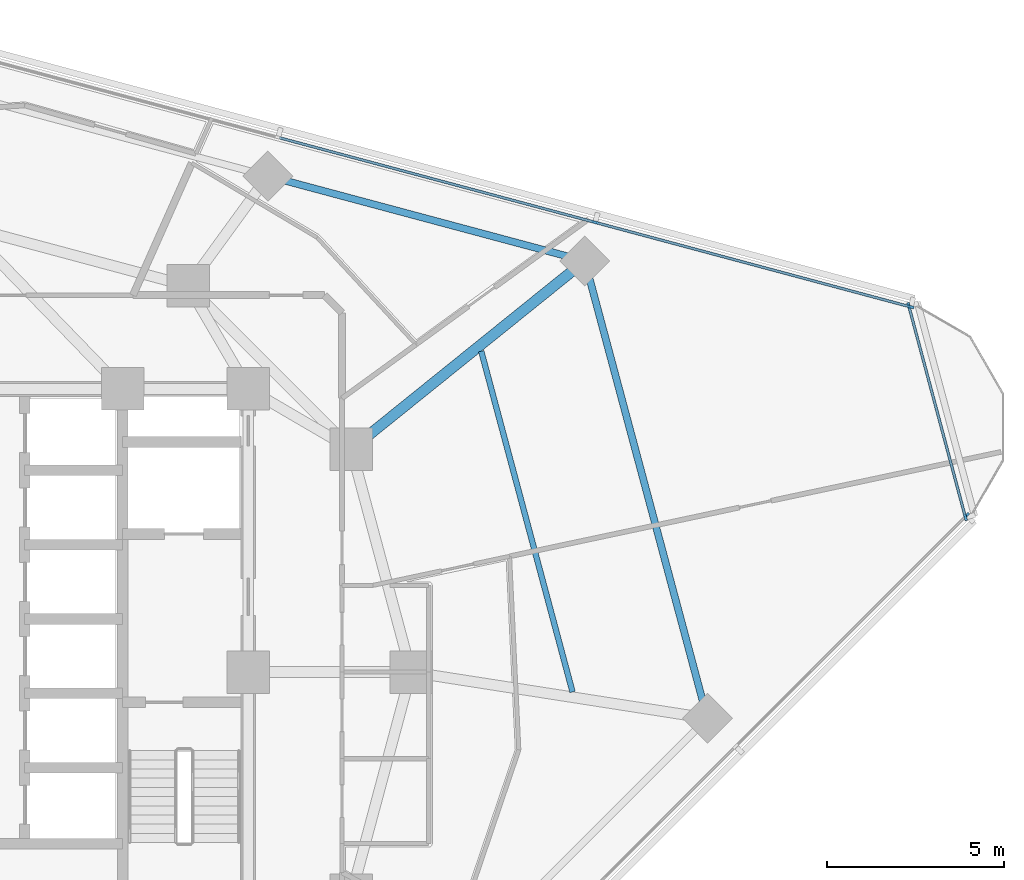
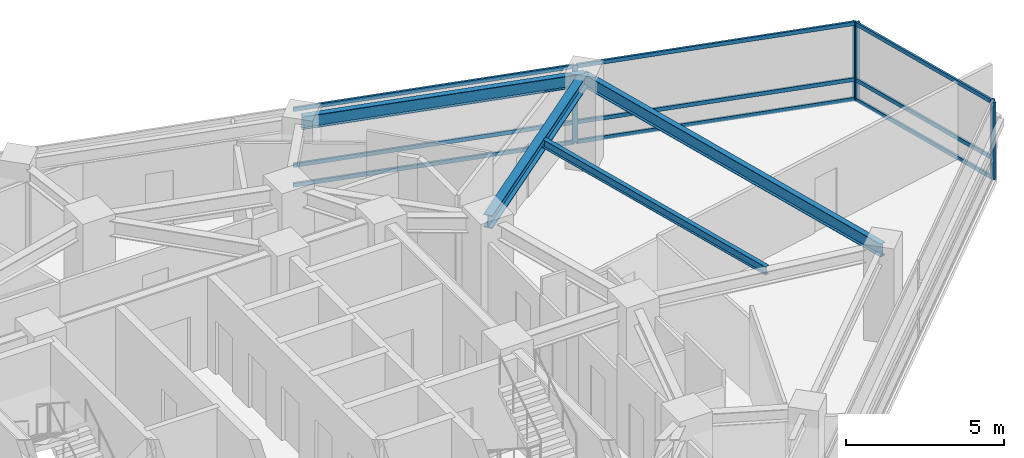
# One storey, part 5 of 14: 14 members, 4 beams, 3 elements without a shape of their own.
"""IFC4 building model written with IfcOpenShell, lengths in metres."""

import ifcopenshell
import ifcopenshell.guid

model = None  # the IFC model being written
_history = None  # IfcOwnerHistory: only IFC2X3 demands one
_inside = {}  # id of a spatial element -> (the spatial element, [elements in it])
_under = {}  # id of a project, library or spatial element -> (it, [spatial elements below it])
_declared = {}  # id of a project -> (the project, [libraries it declares])
_typed = {}  # id of a type object -> (the type object, [elements of that type])
_made_of = {}  # id of a material, layer set ... -> (it, [elements and type objects made of it])


def new_model(schema):
    """Start an empty IFC model of exactly this schema.

    Asked for "IFC4X3", IfcOpenShell would pick the latest addendum, in which some entities
    have other attributes; the version numbers below select the first issue.
    IFC2X3 requires an IfcOwnerHistory on every rooted entity: one is made here for all.
    """
    global model, _history
    if schema == "IFC4X3":
        model = ifcopenshell.file(schema_version=(4, 3, 0, 0))
    else:
        model = ifcopenshell.file(schema=schema)
    _inside.clear()
    _under.clear()
    _declared.clear()
    _typed.clear()
    _made_of.clear()
    _history = None
    if model.schema == "IFC2X3":
        org = make("IfcOrganization", Name="unknown")
        user = make(
            "IfcPersonAndOrganization",
            ThePerson=make("IfcPerson", FamilyName="unknown"),
            TheOrganization=org,
        )
        app = make(
            "IfcApplication",
            ApplicationDeveloper=org,
            Version="unknown",
            ApplicationFullName="unknown",
            ApplicationIdentifier="unknown",
        )
        _history = make(
            "IfcOwnerHistory",
            OwningUser=user,
            OwningApplication=app,
            ChangeAction="ADDED",
            CreationDate=0,
        )
    return model


def make(cls, **values):
    """One entity of the class cls with the attributes given. An attribute that is None is left unset."""
    return model.create_entity(
        cls, **{name: value for name, value in values.items() if value is not None}
    )


def rooted(cls, **values):
    """An entity with a GlobalId (a new one), such as an element, a storey or a relation."""
    return make(cls, GlobalId=ifcopenshell.guid.new(), OwnerHistory=_history, **values)


def si_unit(unit_type, name, prefix=None):
    """IfcSIUnit, for example si_unit("LENGTHUNIT", "METRE", prefix="MILLI")."""
    return make("IfcSIUnit", UnitType=unit_type, Prefix=prefix, Name=name)


def assignment(units):
    """IfcUnitAssignment: the units of a project."""
    return None if units is None else make("IfcUnitAssignment", Units=units)


def point(xyz):
    """IfcCartesianPoint."""
    return None if xyz is None else make("IfcCartesianPoint", Coordinates=xyz)


def direction(xyz):
    """IfcDirection."""
    return None if xyz is None else make("IfcDirection", DirectionRatios=xyz)


def frame(location, z_axis=None, x_axis=None):
    """IfcAxis2Placement3D, a coordinate frame: its origin and axes. An axis left out is left unset."""
    return make(
        "IfcAxis2Placement3D",
        Location=point(location),
        Axis=direction(z_axis),
        RefDirection=direction(x_axis),
    )


def frame_2d(location, x_axis=None):
    """IfcAxis2Placement2D, a coordinate frame in the plane: its origin and x axis."""
    return make(
        "IfcAxis2Placement2D", Location=point(location), RefDirection=direction(x_axis)
    )


def origin():
    """The frame at (0, 0, 0) with its axes left unset."""
    return frame((0.0, 0.0, 0.0))


def origin_2d():
    """The frame at (0, 0) in the plane with its x axis left unset."""
    return frame_2d((0.0, 0.0))


def place(relative_to, where):
    """IfcLocalPlacement: puts the frame where relative to a parent placement (None: the world)."""
    return make(
        "IfcLocalPlacement", PlacementRelTo=relative_to, RelativePlacement=where
    )


def context(
    kind, dimensions, precision=None, world=None, true_north=None, identifier=None
):
    """IfcGeometricRepresentationContext, for example the 3D "Model" context."""
    return make(
        "IfcGeometricRepresentationContext",
        ContextIdentifier=identifier,
        ContextType=kind,
        CoordinateSpaceDimension=dimensions,
        Precision=precision,
        WorldCoordinateSystem=world,
        TrueNorth=true_north,
    )


def subcontext(parent, identifier, kind, view, scale=None):
    """IfcGeometricRepresentationSubContext, for example "Body" below "Model"."""
    return make(
        "IfcGeometricRepresentationSubContext",
        ContextIdentifier=identifier,
        ContextType=kind,
        ParentContext=parent,
        TargetScale=scale,
        TargetView=view,
    )


def project(units=None, contexts=None):
    """IfcProject with its units and contexts."""
    return rooted(
        "IfcProject",
        Name="project",
        RepresentationContexts=contexts,
        UnitsInContext=assignment(units),
    )


def spatial(cls, under=None, at=None, **own):
    """A site, building, storey or space (cls), placed at a placement, below another one or the project."""
    s = rooted(cls, ObjectPlacement=at, **own)
    if under is not None:
        _under.setdefault(under.id(), (under, []))[1].append(s)
    return s


def profile(cls, at=None, kind="AREA", **sizes):
    """A parametric profile (cls). Its sizes go by their IFC names, for example OverallWidth=200.0."""
    return make(cls, ProfileType=kind, Position=at, **sizes)


def rectangle(**sizes):
    """IfcRectangleProfileDef."""
    return profile("IfcRectangleProfileDef", **sizes)


def i_section(**sizes):
    """IfcIShapeProfileDef."""
    return profile("IfcIShapeProfileDef", **sizes)


def extrude(swept, where, along, depth):
    """IfcExtrudedAreaSolid: the profile swept, set in the frame where, extruded along a direction by depth."""
    return make(
        "IfcExtrudedAreaSolid",
        SweptArea=swept,
        Position=where,
        ExtrudedDirection=direction(along),
        Depth=depth,
    )


def shape(context_of_items, identifier, shape_type, items):
    """IfcShapeRepresentation: the items that make up one representation, for example the "Body"."""
    return make(
        "IfcShapeRepresentation",
        ContextOfItems=context_of_items,
        RepresentationIdentifier=identifier,
        RepresentationType=shape_type,
        Items=items,
    )


def material(Name=None, Category=None):
    """IfcMaterial."""
    return make("IfcMaterial", Name=Name, Category=Category)


def layer(
    of_material, thickness, ventilated=None, Name=None, Category=None, Priority=None
):
    """IfcMaterialLayer: one layer of a wall or slab, of a material (None: an air gap)."""
    return make(
        "IfcMaterialLayer",
        Material=of_material,
        LayerThickness=thickness,
        IsVentilated=ventilated,
        Name=Name,
        Category=Category,
        Priority=Priority,
    )


def layer_set(layers, Name=None):
    """IfcMaterialLayerSet."""
    return make("IfcMaterialLayerSet", MaterialLayers=layers, LayerSetName=Name)


def material_profile(
    of_material, cross_section, Name=None, Category=None, Priority=None
):
    """IfcMaterialProfile: a cross section and its material."""
    return make(
        "IfcMaterialProfile",
        Name=Name,
        Material=of_material,
        Profile=cross_section,
        Priority=Priority,
        Category=Category,
    )


def profile_set(profiles, Name=None, composite=None):
    """IfcMaterialProfileSet."""
    return make(
        "IfcMaterialProfileSet",
        Name=Name,
        MaterialProfiles=profiles,
        CompositeProfile=composite,
    )


def made_of(thing, what):
    """Note that an element or type object is made of a material, layer set ...; save() writes the relation."""
    if what is not None:
        _made_of.setdefault(what.id(), (what, []))[1].append(thing)
    return thing


def type_object(cls, material=None, **own):
    """A type object (cls), such as IfcWallType, which elements share."""
    return made_of(rooted(cls, **own), material)


def element(
    cls,
    number,
    at=None,
    inside=None,
    cuts=None,
    type_object=None,
    material=None,
    context=None,
    identifier="Body",
    shape_type=None,
    held_by="IfcProductDefinitionShape",
    body=None,
    shapes=None,
    **own,
):
    """One element of the class cls, such as IfcWall. Its Tag is "e" and its number.

    at: its placement. inside: the storey or other place that contains it. cuts: it is an
    opening in that element (IfcRelVoidsElement). A single representation is given by context,
    identifier, shape_type and body (its items); several are given by shapes. held_by: the class
    of the entity that holds the representations. save() writes the other relations.
    """
    e = rooted(cls, Tag="e%d" % number, ObjectPlacement=at, **own)
    if body is not None:
        shapes = [shape(context, identifier, shape_type, body)]
    if shapes is not None:
        e.Representation = make(held_by, Representations=shapes)
    if inside is not None:
        _inside.setdefault(inside.id(), (inside, []))[1].append(e)
    if cuts is not None:
        rooted(
            "IfcRelVoidsElement", RelatingBuildingElement=cuts, RelatedOpeningElement=e
        )
    if type_object is not None:
        _typed.setdefault(type_object.id(), (type_object, []))[1].append(e)
    return made_of(e, material)


def aggregate(whole, parts):
    """IfcRelAggregates: a whole, such as a stair, and the parts it consists of."""
    return rooted("IfcRelAggregates", RelatingObject=whole, RelatedObjects=parts)


def save(model, path):
    """Write the relations noted so far, then the file.

    IfcRelAggregates (storeys below a building ...), IfcRelContainedInSpatialStructure (elements
    in a storey), IfcRelDefinesByType, IfcRelAssociatesMaterial and IfcRelDeclares: one each for
    every whole, place, type object, material and project.
    """
    for whole, parts in _under.values():
        aggregate(whole, parts)
    for where, things in _inside.values():
        rooted(
            "IfcRelContainedInSpatialStructure",
            RelatedElements=things,
            RelatingStructure=where,
        )
    for kind, things in _typed.values():
        rooted("IfcRelDefinesByType", RelatedObjects=things, RelatingType=kind)
    for what, things in _made_of.values():
        rooted("IfcRelAssociatesMaterial", RelatedObjects=things, RelatingMaterial=what)
    for by, libraries in _declared.values():
        rooted("IfcRelDeclares", RelatingContext=by, RelatedDefinitions=libraries)
    model.write(path)


model = new_model("IFC4")

# Units and contexts
model_context = context("Model", 3, precision=1e-05, world=origin(), true_north=direction((0.0, 1.0)))
body_context = subcontext(model_context, "Body", "Model", "MODEL_VIEW")
ifc_project = project(units=[si_unit("LENGTHUNIT", "METRE"), si_unit("AREAUNIT", "SQUARE_METRE"), si_unit("VOLUMEUNIT", "CUBIC_METRE"), si_unit("PLANEANGLEUNIT", "RADIAN"), si_unit("MASSUNIT", "GRAM", prefix="KILO")], contexts=[model_context])

# Site, building, storey
site_placement = place(None, origin())
site = spatial("IfcSite", under=ifc_project, at=site_placement, CompositionType="ELEMENT")
building_placement = place(site_placement, origin())
building = spatial("IfcBuilding", under=site, at=building_placement, Name="Terralouvre Media Tower", CompositionType="ELEMENT")
storey_placement = place(building_placement, frame((0.0, 0.0, 184.199951171875)))
storey = spatial("IfcBuildingStorey", under=building, at=storey_placement, Name="L47", CompositionType="ELEMENT", Elevation=184.199951171875)

# Beam
ifc_material_1 = material(Name="Structural steel S355J2", Category="steel")
ifc_material_profile_1 = material_profile(ifc_material_1, i_section(OverallWidth=0.159912109375, OverallDepth=0.330078125, WebThickness=0.007568359375, FlangeThickness=0.011474609375, at=origin_2d()), Name="IPE 330")
ifc_profile_set_1 = profile_set([ifc_material_profile_1], Name="Structural steel S355J2")
beam_type_1 = type_object("IfcBeamType", Name="Composite Floor Joist J-IPE330 (IPE 330)", PredefinedType="JOIST", material=ifc_profile_set_1)
beam_1_placement = place(storey_placement, frame((17.16357421875, -0.56103515625, 3.3349609375), z_axis=(-0.258827084055, 0.965923672222, 0.0), x_axis=(-0.965923672222, -0.258827084055, 0.0)))
element("IfcBeam", 1, at=beam_1_placement, inside=storey, type_object=beam_type_1, Name="L47 Framing Beam JT-L47-03", PredefinedType="JOIST", context=body_context, shape_type="SweptSolid", body=[
    extrude(i_section(OverallWidth=0.159912109375, OverallDepth=0.330078125, WebThickness=0.007568359375, FlangeThickness=0.011474609375, at=origin_2d()), origin(), (0.0, 0.0, 1.0), 9.96826171875),
])

# Curtain wall, members
ifc_material_2 = material(Name="Low-iron laminated double glazing with solar-control coating", Category="glass")
ifc_layer_1 = layer(ifc_material_2, 0.1650390625, Name="Production Studio Tower Curtain Wall CW-03")
ifc_layer_set_1 = layer_set([ifc_layer_1], Name="Low-iron laminated double glazing with solar-control coating")
curtain_wall_type_1 = type_object("IfcCurtainWallType", Name="Production Studio Tower Curtain Wall CW-03", PredefinedType="NOTDEFINED", material=ifc_layer_set_1)
curtain_wall_1_placement = place(storey_placement, origin())
curtain_wall_1 = element("IfcCurtainWall", 2, at=curtain_wall_1_placement, inside=storey, type_object=curtain_wall_type_1, Name="L47 Facade Curtain Wall F1", PredefinedType="NOTDEFINED")
ifc_material_3 = material(Name="Anodised extruded aluminium 6063-T6", Category="aluminium")
ifc_material_profile_2 = material_profile(ifc_material_3, rectangle(XDim=0.074951171875, YDim=0.14990234375, at=origin_2d()), Name="ALU 75x150")
ifc_profile_set_2 = profile_set([ifc_material_profile_2], Name="Anodised extruded aluminium 6063-T6")
member_type_1 = type_object("IfcMemberType", Name="Curtain-Wall Horizontal Transom TR-150", PredefinedType="USERDEFINED", material=ifc_profile_set_2)
member_1_placement = place(storey_placement, frame((26.687255859375, 10.32763671875, 0.03759765625), z_axis=(-0.965927230856, 0.25881380313, 0.0), x_axis=(-0.25881380313, -0.965927230856, 0.0)))
member_1 = element("IfcMember", 3, at=member_1_placement, type_object=member_type_1, Name="CW-03 transom 1.1", ObjectType="TRANSOM", PredefinedType="USERDEFINED", context=body_context, shape_type="SweptSolid", body=[
    extrude(rectangle(XDim=0.074951171875, YDim=0.14990234375, at=origin_2d()), origin(), (0.0, 0.0, 1.0), 9.159423828125),
])
member_2_placement = place(storey_placement, frame((26.687255859375, 10.32763671875, 0.800048828125), z_axis=(-0.965927230856, 0.25881380313, 0.0), x_axis=(-0.25881380313, -0.965927230856, 0.0)))
member_2 = element("IfcMember", 4, at=member_2_placement, type_object=member_type_1, Name="CW-03 transom 1.2", ObjectType="TRANSOM", PredefinedType="USERDEFINED", context=body_context, shape_type="SweptSolid", body=[
    extrude(rectangle(XDim=0.074951171875, YDim=0.14990234375, at=origin_2d()), origin(), (0.0, 0.0, 1.0), 9.159423828125),
])
member_3_placement = place(storey_placement, frame((26.687255859375, 10.32763671875, 2.962646484375), z_axis=(-0.965927230856, 0.25881380313, 0.0), x_axis=(-0.25881380313, -0.965927230856, 0.0)))
member_3 = element("IfcMember", 5, at=member_3_placement, type_object=member_type_1, Name="CW-03 transom 1.3", ObjectType="TRANSOM", PredefinedType="USERDEFINED", context=body_context, shape_type="SweptSolid", body=[
    extrude(rectangle(XDim=0.074951171875, YDim=0.14990234375, at=origin_2d()), origin(), (0.0, 0.0, 1.0), 9.159423828125),
])
member_4_placement = place(storey_placement, frame((17.767578125, 12.7177734375, 0.03759765625), z_axis=(-0.965926723605, 0.25881569625, 0.0), x_axis=(-0.25881569625, -0.965926723605, 0.0)))
member_4 = element("IfcMember", 6, at=member_4_placement, type_object=member_type_1, Name="CW-03 transom 2.1", ObjectType="TRANSOM", PredefinedType="USERDEFINED", context=body_context, shape_type="SweptSolid", body=[
    extrude(rectangle(XDim=0.074951171875, YDim=0.14990234375, at=origin_2d()), origin(), (0.0, 0.0, 1.0), 9.197265625),
])
member_5_placement = place(storey_placement, frame((17.767578125, 12.7177734375, 0.800048828125), z_axis=(-0.965926723605, 0.25881569625, 0.0), x_axis=(-0.25881569625, -0.965926723605, 0.0)))
member_5 = element("IfcMember", 7, at=member_5_placement, type_object=member_type_1, Name="CW-03 transom 2.2", ObjectType="TRANSOM", PredefinedType="USERDEFINED", context=body_context, shape_type="SweptSolid", body=[
    extrude(rectangle(XDim=0.074951171875, YDim=0.14990234375, at=origin_2d()), origin(), (0.0, 0.0, 1.0), 9.197265625),
])
member_6_placement = place(storey_placement, frame((17.767578125, 12.7177734375, 2.962646484375), z_axis=(-0.965926723605, 0.25881569625, 0.0), x_axis=(-0.25881569625, -0.965926723605, 0.0)))
member_6 = element("IfcMember", 8, at=member_6_placement, type_object=member_type_1, Name="CW-03 transom 2.3", ObjectType="TRANSOM", PredefinedType="USERDEFINED", context=body_context, shape_type="SweptSolid", body=[
    extrude(rectangle(XDim=0.074951171875, YDim=0.14990234375, at=origin_2d()), origin(), (0.0, 0.0, 1.0), 9.197265625),
])

ifc_material_4 = material(Name="Low-iron laminated double glazing with solar-control coating", Category="glass")
ifc_layer_2 = layer(ifc_material_4, 0.1650390625, Name="Rounded Wind-Corner Curved Glazing CW-04")
ifc_layer_set_2 = layer_set([ifc_layer_2], Name="Low-iron laminated double glazing with solar-control coating")
curtain_wall_type_2 = type_object("IfcCurtainWallType", Name="Rounded Wind-Corner Curved Glazing CW-04", PredefinedType="NOTDEFINED", material=ifc_layer_set_2)
curtain_wall_2_placement = place(storey_placement, origin())
curtain_wall_2 = element("IfcCurtainWall", 9, at=curtain_wall_2_placement, inside=storey, type_object=curtain_wall_type_2, Name="L47 Rounded Wind-Corner Curtain Wall C1", PredefinedType="NOTDEFINED")
member_7_placement = place(storey_placement, frame((28.259033203125, 4.404052734375, 0.03759765625), z_axis=(-0.25882448687, 0.965924368155, 0.0), x_axis=(-0.965924368155, -0.25882448687, 0.0)))
member_7 = element("IfcMember", 10, at=member_7_placement, type_object=member_type_1, Name="CW-04 transom 1.1", ObjectType="TRANSOM", PredefinedType="USERDEFINED", context=body_context, shape_type="SweptSolid", body=[
    extrude(rectangle(XDim=0.074951171875, YDim=0.14990234375, at=origin_2d()), origin(), (0.0, 0.0, 1.0), 6.119873046875),
])
member_8_placement = place(storey_placement, frame((28.259033203125, 4.404052734375, 0.800048828125), z_axis=(-0.25882448687, 0.965924368155, 0.0), x_axis=(-0.965924368155, -0.25882448687, 0.0)))
member_8 = element("IfcMember", 11, at=member_8_placement, type_object=member_type_1, Name="CW-04 transom 1.2", ObjectType="TRANSOM", PredefinedType="USERDEFINED", context=body_context, shape_type="SweptSolid", body=[
    extrude(rectangle(XDim=0.074951171875, YDim=0.14990234375, at=origin_2d()), origin(), (0.0, 0.0, 1.0), 6.119873046875),
])
member_9_placement = place(storey_placement, frame((28.259033203125, 4.404052734375, 2.962646484375), z_axis=(-0.25882448687, 0.965924368155, 0.0), x_axis=(-0.965924368155, -0.25882448687, 0.0)))
member_9 = element("IfcMember", 12, at=member_9_placement, type_object=member_type_1, Name="CW-04 transom 1.3", ObjectType="TRANSOM", PredefinedType="USERDEFINED", context=body_context, shape_type="SweptSolid", body=[
    extrude(rectangle(XDim=0.074951171875, YDim=0.14990234375, at=origin_2d()), origin(), (0.0, 0.0, 1.0), 6.119873046875),
])

# Curtain wall, member
curtain_wall_3_placement = place(storey_placement, origin())
curtain_wall_3 = element("IfcCurtainWall", 13, at=curtain_wall_3_placement, inside=storey, type_object=curtain_wall_type_1, Name="L47 Facade Curtain Wall F0", PredefinedType="NOTDEFINED")
ifc_material_5 = material(Name="Anodised extruded aluminium 6063-T6", Category="aluminium")
ifc_material_profile_3 = material_profile(ifc_material_5, rectangle(XDim=0.074951171875, YDim=0.179931640625, at=origin_2d()), Name="ALU 75x180")
ifc_profile_set_3 = profile_set([ifc_material_profile_3], Name="Anodised extruded aluminium 6063-T6")
member_type_2 = type_object("IfcMemberType", Name="Curtain-Wall Vertical Mullion ML-180", PredefinedType="MULLION", material=ifc_profile_set_3)
member_10_placement = place(storey_placement, frame((28.30224609375, 4.42626953125, 0.0), z_axis=(0.0, 0.0, 1.0), x_axis=(-0.707106781187, 0.707106781187, 0.0)))
member_10 = element("IfcMember", 14, at=member_10_placement, type_object=member_type_2, Name="CW-03 mullion 6", PredefinedType="MULLION", context=body_context, shape_type="SweptSolid", body=[
    extrude(rectangle(XDim=0.074951171875, YDim=0.179931640625, at=origin_2d()), origin(), (0.0, 0.0, 1.0), 3.0),
])
aggregate(curtain_wall_3, [member_10])

# Member
member_11_placement = place(storey_placement, frame((26.7236328125, 10.31787109375, 0.0), z_axis=(0.0, 0.0, 1.0), x_axis=(-0.25881903342, -0.96592582942, 0.0)))
member_11 = element("IfcMember", 15, at=member_11_placement, type_object=member_type_2, Name="CW-03 mullion 1", PredefinedType="MULLION", context=body_context, shape_type="SweptSolid", body=[
    extrude(rectangle(XDim=0.074951171875, YDim=0.179931640625, at=origin_2d()), origin(), (0.0, 0.0, 1.0), 3.0),
])

member_12_placement = place(storey_placement, frame((17.8037109375, 12.7080078125, 0.0), z_axis=(0.0, 0.0, 1.0), x_axis=(-0.25881903342, -0.96592582942, 0.0)))
member_12 = element("IfcMember", 16, at=member_12_placement, type_object=member_type_2, Name="CW-03 mullion 2", PredefinedType="MULLION", context=body_context, shape_type="SweptSolid", body=[
    extrude(rectangle(XDim=0.074951171875, YDim=0.179931640625, at=origin_2d()), origin(), (0.0, 0.0, 1.0), 3.0),
])

aggregate(curtain_wall_1, [member_11, member_12, member_1, member_2, member_3, member_4, member_5, member_6])

member_13_placement = place(storey_placement, frame((28.268798828125, 4.367919921875, 0.0), z_axis=(0.0, 0.0, 1.0), x_axis=(-0.965925911218, -0.258818728144, 0.0)))
member_13 = element("IfcMember", 17, at=member_13_placement, type_object=member_type_2, Name="CW-04 mullion 1", PredefinedType="MULLION", context=body_context, shape_type="SweptSolid", body=[
    extrude(rectangle(XDim=0.074951171875, YDim=0.179931640625, at=origin_2d()), origin(), (0.0, 0.0, 1.0), 3.0),
])

member_14_placement = place(storey_placement, frame((26.665283203125, 10.351806640625, 0.0), z_axis=(0.0, 0.0, 1.0), x_axis=(-0.965925911218, -0.258818728144, 0.0)))
member_14 = element("IfcMember", 18, at=member_14_placement, type_object=member_type_2, Name="CW-04 mullion 2", PredefinedType="MULLION", context=body_context, shape_type="SweptSolid", body=[
    extrude(rectangle(XDim=0.074951171875, YDim=0.179931640625, at=origin_2d()), origin(), (0.0, 0.0, 1.0), 3.0),
])

aggregate(curtain_wall_2, [member_13, member_14, member_7, member_8, member_9])

# Beams
ifc_material_6 = material(Name="Structural steel S355J2", Category="steel")
ifc_material_profile_4 = material_profile(ifc_material_6, i_section(OverallWidth=0.199951171875, OverallDepth=0.5, WebThickness=0.01025390625, FlangeThickness=0.01611328125, at=origin_2d()), Name="IPE 500")
ifc_profile_set_4 = profile_set([ifc_material_profile_4], Name="Structural steel S355J2")
beam_type_2 = type_object("IfcBeamType", Name="Perimeter Spandrel Beam SPB-500 (IPE 500)", PredefinedType="SPANDREL", material=ifc_profile_set_4)
beam_2_placement = place(storey_placement, frame((20.973388671875, -1.3046875, 3.25), z_axis=(-0.258815451972, 0.965926789058, 0.0), x_axis=(-0.965926789058, -0.258815451972, 0.0)))
element("IfcBeam", 19, at=beam_2_placement, inside=storey, type_object=beam_type_2, Name="L47 Framing Beam BM-L47-PR06", PredefinedType="SPANDREL", context=body_context, shape_type="SweptSolid", body=[
    extrude(i_section(OverallWidth=0.199951171875, OverallDepth=0.5, WebThickness=0.01025390625, FlangeThickness=0.01611328125, at=origin_2d()), origin(), (0.0, 0.0, 1.0), 13.376953125),
])
beam_3_placement = place(storey_placement, frame((17.51123046875, 11.616455078125, 3.25), z_axis=(-0.965922193685, 0.258832601786, 0.0), x_axis=(-0.258832601786, -0.965922193685, 0.0)))
element("IfcBeam", 20, at=beam_3_placement, inside=storey, type_object=beam_type_2, Name="L47 Framing Beam BM-L47-PR07", PredefinedType="SPANDREL", context=body_context, shape_type="SweptSolid", body=[
    extrude(i_section(OverallWidth=0.199951171875, OverallDepth=0.5, WebThickness=0.01025390625, FlangeThickness=0.01611328125, at=origin_2d()), origin(), (0.0, 0.0, 1.0), 9.27197265625),
])
ifc_material_7 = material(Name="Structural steel S355J2", Category="steel")
ifc_material_profile_5 = material_profile(ifc_material_7, i_section(OverallWidth=0.300048828125, OverallDepth=0.5, WebThickness=0.014404296875, FlangeThickness=0.028076171875, at=origin_2d()), Name="HEB 500")
ifc_profile_set_5 = profile_set([ifc_material_profile_5], Name="Structural steel S355J2")
beam_type_3 = type_object("IfcBeamType", Name="Primary Floor Girder B-HEB500 (HEB 500)", PredefinedType="BEAM", material=ifc_profile_set_5)
beam_4_placement = place(storey_placement, frame((10.911865234375, 6.300048828125, 3.25), z_axis=(0.778739443649, 0.62734749454, 0.0), x_axis=(-0.62734749454, 0.778739443649, 0.0)))
element("IfcBeam", 21, at=beam_4_placement, inside=storey, type_object=beam_type_3, Name="L47 Framing Beam BM-L47-RD07", PredefinedType="BEAM", context=body_context, shape_type="SweptSolid", body=[
    extrude(i_section(OverallWidth=0.300048828125, OverallDepth=0.5, WebThickness=0.014404296875, FlangeThickness=0.028076171875, at=origin_2d()), origin(), (0.0, 0.0, 1.0), 8.474365234375),
])

save(model, "model.ifc")
